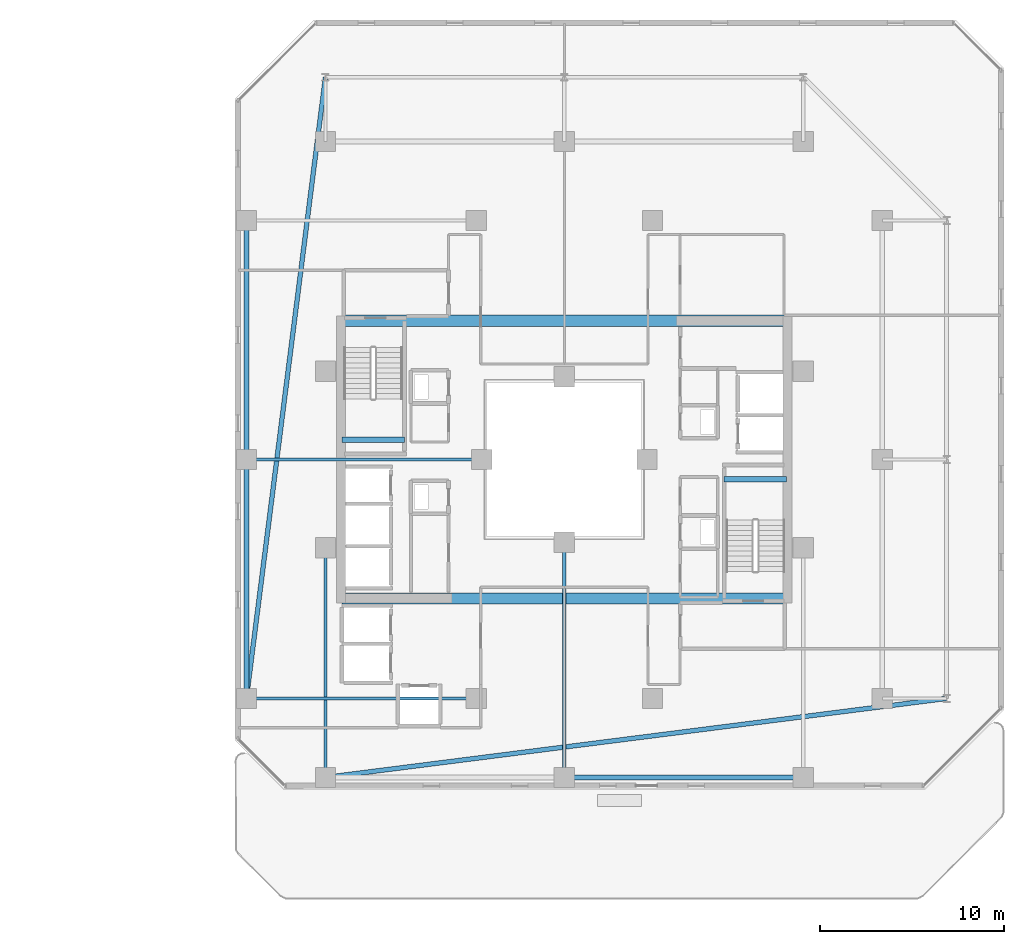
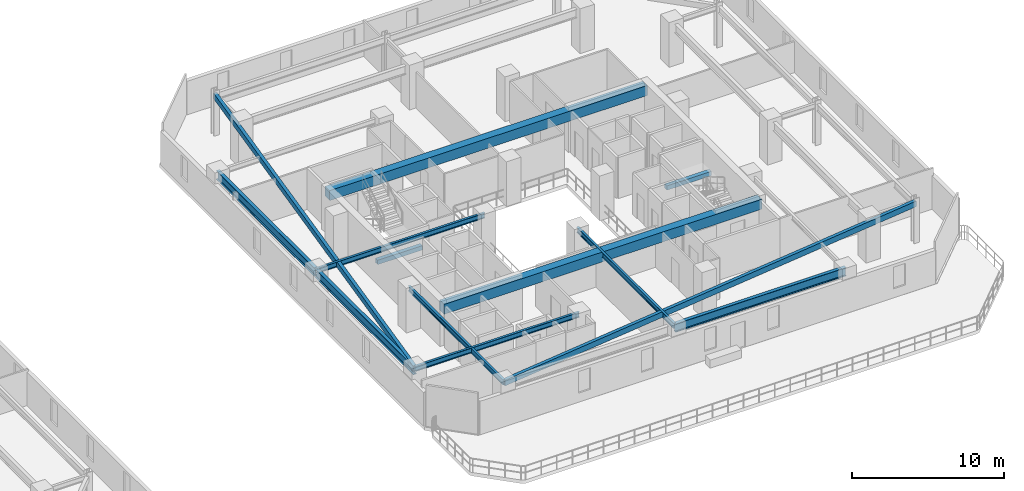
# One storey, part 11 of 30: 13 beams.
"""IFC4 building model written with IfcOpenShell, lengths in metres."""

from ifc_helpers import new_model, si_unit, direction, frame, origin, origin_2d, place, context, subcontext, project, spatial, rectangle, hollow_rectangle, i_section, extrude, material, material_profile, profile_set, type_object, element, save


model = new_model("IFC4")

# Units and contexts
model_context = context("Model", 3, precision=1e-05, world=origin(), true_north=direction((0.0, 1.0)))
body_context = subcontext(model_context, "Body", "Model", "MODEL_VIEW")
ifc_project = project(units=[si_unit("LENGTHUNIT", "METRE"), si_unit("AREAUNIT", "SQUARE_METRE"), si_unit("VOLUMEUNIT", "CUBIC_METRE"), si_unit("PLANEANGLEUNIT", "RADIAN"), si_unit("MASSUNIT", "GRAM", prefix="KILO")], contexts=[model_context])

# Site, building, storey
site_placement = place(None, origin())
site = spatial("IfcSite", under=ifc_project, at=site_placement, CompositionType="ELEMENT")
building_placement = place(site_placement, origin())
building = spatial("IfcBuilding", under=site, at=building_placement, Name="Thornwick Lancets Civic Towers", CompositionType="ELEMENT")
storey_placement = place(building_placement, frame((0.0, 0.0, 149.10009765625)))
storey = spatial("IfcBuildingStorey", under=building, at=storey_placement, Name="L39", CompositionType="ELEMENT", Elevation=149.10009765625)

# Beams
ifc_material_1 = material(Name="Concrete C60/75", Category="concrete")
ifc_material_profile_1 = material_profile(ifc_material_1, rectangle(XDim=0.60009765625, YDim=0.800048828125, at=origin_2d()), Name="RC 600x800")
ifc_profile_set_1 = profile_set([ifc_material_profile_1], Name="Concrete C60/75")
beam_type_1 = type_object("IfcBeamType", Name="BM_COUP_RC800", PredefinedType="BEAM", material=ifc_profile_set_1)
for number, where, z_axis, x_axis, name in (
    (1, (76.39990234375, 34.550048828125, 2.919921875), (1.0, 0.0, 0.0), (0.0, 1.0, 0.0), "CB-L39-B1"),
    (2, (76.39990234375, 19.449951171875, 2.919921875), (1.0, 0.0, 0.0), (0.0, 1.0, 0.0), "CB-L39-B2"),
):
    element("IfcBeam", number, at=place(storey_placement, frame(where, z_axis=z_axis, x_axis=x_axis)), inside=storey, type_object=beam_type_1, Name=name, PredefinedType="BEAM", context=body_context, shape_type="SweptSolid", body=[
        extrude(rectangle(XDim=0.60009765625, YDim=0.800048828125, at=origin_2d()), origin(), (0.0, 0.0, 1.0), 24.2001953125),
    ])
ifc_material_2 = material(Name="Steel S355JR", Category="steel")
ifc_material_profile_2 = material_profile(ifc_material_2, i_section(OverallWidth=0.255859375, OverallDepth=0.69287109375, WebThickness=0.014404296875, FlangeThickness=0.023681640625, FilletRadius=0.01513671875, at=origin_2d()), Name="UKB 686x254x170")
ifc_profile_set_2 = profile_set([ifc_material_profile_2], Name="Steel S355JR")
beam_type_2 = type_object("IfcBeamType", Name="BM_GIRD_686_170", PredefinedType="BEAM", material=ifc_profile_set_2)
beam_1_placement = place(storey_placement, frame((71.199951171875, 14.0, 2.973388671875), z_axis=(0.0, 1.0, 0.0), x_axis=(-1.0, 0.0, 0.0)))
element("IfcBeam", 3, at=beam_1_placement, inside=storey, type_object=beam_type_2, Name="BM-SPINE-L39-B-6-7", PredefinedType="BEAM", context=body_context, shape_type="SweptSolid", body=[
    extrude(i_section(OverallWidth=0.255859375, OverallDepth=0.69287109375, WebThickness=0.014404296875, FlangeThickness=0.023681640625, FilletRadius=0.01513671875, at=origin_2d()), origin(), (0.0, 0.0, 1.0), 13.0),
])
beam_2_placement = place(storey_placement, frame((71.199951171875, 27.080078125, 2.973388671875), z_axis=(0.0, 1.0, 0.0), x_axis=(-1.0, 0.0, 0.0)))
element("IfcBeam", 4, at=beam_2_placement, inside=storey, type_object=beam_type_2, Name="BM-SPINE-L39-B-7-8", PredefinedType="BEAM", context=body_context, shape_type="SweptSolid", body=[
    extrude(i_section(OverallWidth=0.255859375, OverallDepth=0.69287109375, WebThickness=0.014404296875, FlangeThickness=0.023681640625, FilletRadius=0.01513671875, at=origin_2d()), origin(), (0.0, 0.0, 1.0), 12.919921875),
])
beam_3_placement = place(storey_placement, frame((101.5, 9.699951171875, 2.973388671875), z_axis=(-1.0, 0.0, 0.0), x_axis=(0.0, -1.0, 0.0)))
element("IfcBeam", 5, at=beam_3_placement, inside=storey, type_object=beam_type_2, Name="BM-SPINE-L39-B-9-10", PredefinedType="BEAM", context=body_context, shape_type="SweptSolid", body=[
    extrude(i_section(OverallWidth=0.255859375, OverallDepth=0.69287109375, WebThickness=0.014404296875, FlangeThickness=0.023681640625, FilletRadius=0.01513671875, at=origin_2d()), origin(), (0.0, 0.0, 1.0), 13.0),
])
ifc_material_profile_3 = material_profile(ifc_material_2, i_section(OverallWidth=0.179443359375, OverallDepth=0.412841796875, WebThickness=0.009521484375, FlangeThickness=0.01611328125, FilletRadius=0.01025390625, at=origin_2d()), Name="UKB 406x178x74")
ifc_profile_set_3 = profile_set([ifc_material_profile_3], Name="Steel S355JR")
beam_type_3 = type_object("IfcBeamType", Name="BM_JOIST_406_74", PredefinedType="JOIST", material=ifc_profile_set_3)
beam_4_placement = place(storey_placement, frame((83.699951171875, 14.0, 3.113525390625), z_axis=(-1.0, 0.0, 0.0), x_axis=(0.0, -1.0, 0.0)))
element("IfcBeam", 6, at=beam_4_placement, inside=storey, type_object=beam_type_3, Name="BM-RADIN-L39-B07", PredefinedType="JOIST", context=body_context, shape_type="SweptSolid", body=[
    extrude(i_section(OverallWidth=0.179443359375, OverallDepth=0.412841796875, WebThickness=0.009521484375, FlangeThickness=0.01611328125, FilletRadius=0.01025390625, at=origin_2d()), origin(), (0.0, 0.0, 1.0), 12.5),
])
for number, where, z_axis, x_axis, name in (
    (7, (84.0, 27.0, 3.113525390625), (-1.0, 0.0, 0.0), (0.0, -1.0, 0.0), "BM-RADIN-L39-B08"),
    (8, (88.5, 22.5, 3.113525390625), (0.0, -1.0, 0.0), (1.0, 0.0, 0.0), "BM-RADIN-L39-B11"),
):
    element("IfcBeam", number, at=place(storey_placement, frame(where, z_axis=z_axis, x_axis=x_axis)), inside=storey, type_object=beam_type_3, Name=name, PredefinedType="JOIST", context=body_context, shape_type="SweptSolid", body=[
        extrude(i_section(OverallWidth=0.179443359375, OverallDepth=0.412841796875, WebThickness=0.009521484375, FlangeThickness=0.01611328125, FilletRadius=0.01025390625, at=origin_2d()), origin(), (0.0, 0.0, 1.0), 12.800048828125),
    ])
beam_5_placement = place(storey_placement, frame((75.5, 22.199951171875, 3.113525390625), z_axis=(0.0, -1.0, 0.0), x_axis=(1.0, 0.0, 0.0)))
element("IfcBeam", 9, at=beam_5_placement, inside=storey, type_object=beam_type_3, Name="BM-RADIN-L39-B12", PredefinedType="JOIST", context=body_context, shape_type="SweptSolid", body=[
    extrude(i_section(OverallWidth=0.179443359375, OverallDepth=0.412841796875, WebThickness=0.009521484375, FlangeThickness=0.01611328125, FilletRadius=0.01025390625, at=origin_2d()), origin(), (0.0, 0.0, 1.0), 12.5),
])
ifc_material_profile_4 = material_profile(ifc_material_2, hollow_rectangle(XDim=0.25, YDim=0.449951171875, WallThickness=0.01611328125, at=origin_2d()), Name="RHS 450x250x16")
ifc_profile_set_4 = profile_set([ifc_material_profile_4], Name="Steel S355JR")
beam_type_4 = type_object("IfcBeamType", Name="BM_RING_RHS450", PredefinedType="BEAM", material=ifc_profile_set_4)
for number, where, z_axis, x_axis, name in (
    (10, (75.5, 47.800048828125, 3.094970703125), (-0.126202998662, -0.992004437051, 0.0), (0.992004437051, -0.126202998662, 0.0), "BM-CHAMF-L39-B-C1"),
    (11, (75.5, 9.699951171875, 3.094970703125), (0.992004437051, 0.126202998662, 0.0), (-0.126202998662, 0.992004437051, 0.0), "BM-CHAMF-L39-B-C3"),
):
    element("IfcBeam", number, at=place(storey_placement, frame(where, z_axis=z_axis, x_axis=x_axis)), inside=storey, type_object=beam_type_4, Name=name, PredefinedType="BEAM", context=body_context, shape_type="SweptSolid", body=[
        extrude(hollow_rectangle(XDim=0.25, YDim=0.449951171875, WallThickness=0.01611328125, at=origin_2d()), origin(), (0.0, 0.0, 1.0), 34.072509765625),
    ])
ifc_material_3 = material(Name="Concrete C40/50", Category="concrete")
ifc_material_profile_5 = material_profile(ifc_material_3, rectangle(XDim=0.300048828125, YDim=0.35009765625, at=origin_2d()), Name="RC 300x350")
ifc_profile_set_5 = profile_set([ifc_material_profile_5], Name="Concrete C40/50")
beam_type_5 = type_object("IfcBeamType", Name="BM_STAIR_LDG", PredefinedType="BEAM", material=ifc_profile_set_5)
for number, where, z_axis, x_axis, name in (
    (12, (100.60009765625, 25.93505859375, 1.3779296875), (-1.0, 0.0, 0.0), (0.0, -1.0, 0.0), "L39 ST-B1 Landing Support Beam 1"),
    (13, (76.39990234375, 28.06494140625, 1.3779296875), (1.0, 0.0, 0.0), (0.0, 1.0, 0.0), "L39 ST-B2 Landing Support Beam 1"),
):
    element("IfcBeam", number, at=place(storey_placement, frame(where, z_axis=z_axis, x_axis=x_axis)), inside=storey, type_object=beam_type_5, Name=name, PredefinedType="BEAM", context=body_context, shape_type="SweptSolid", body=[
        extrude(rectangle(XDim=0.300048828125, YDim=0.35009765625, at=origin_2d()), origin(), (0.0, 0.0, 1.0), 3.400146484375),
    ])

save(model, "model.ifc")
